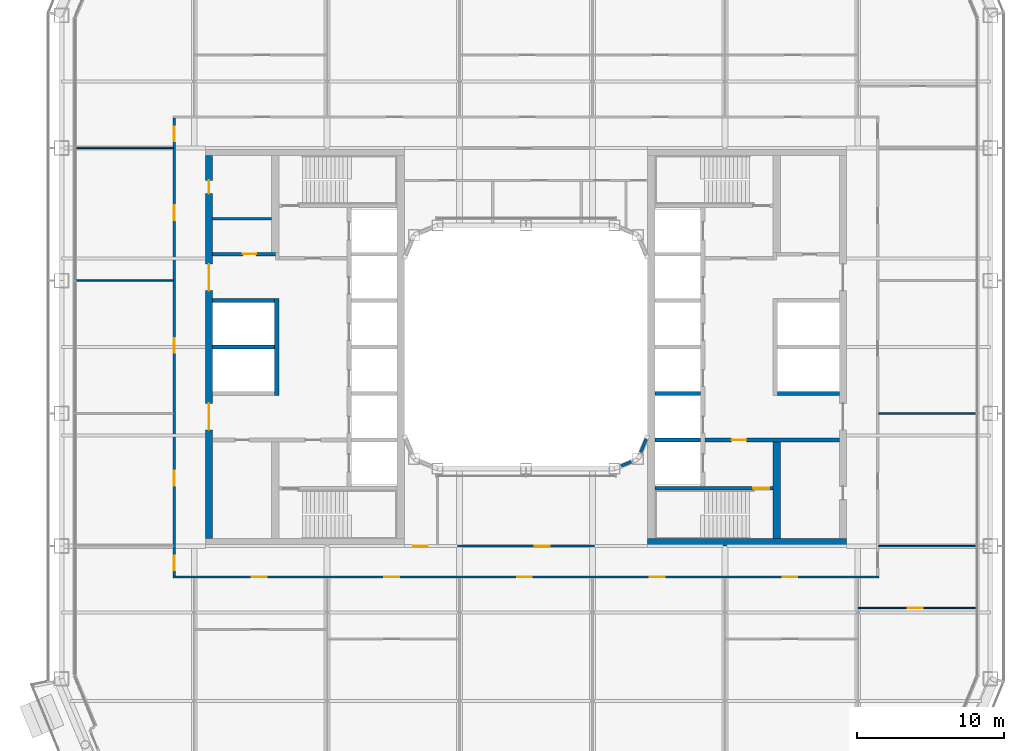
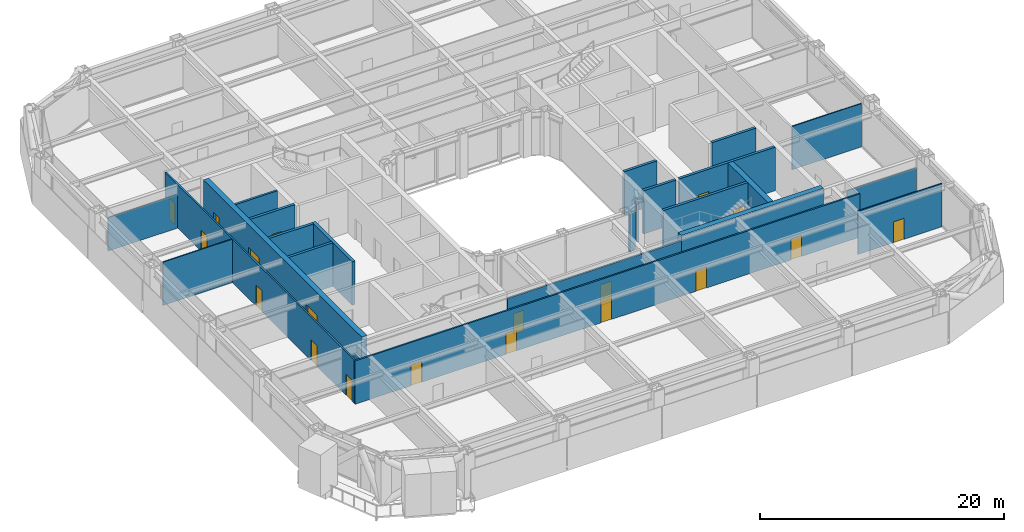
# One storey, part 14 of 27: 23 walls, 19 doors, 19 openings.
"""IFC4 building model written with IfcOpenShell, lengths in metres."""

from ifc_helpers import new_model, si_unit, direction, frame, frame_2d, origin, place, context, subcontext, project, spatial, rectangle, extrude, material, layer, layer_set, type_object, element, fill, save


model = new_model("IFC4")

# Units and contexts
model_context = context("Model", 3, precision=1e-05, world=origin(), true_north=direction((0.0, 1.0)))
body_context = subcontext(model_context, "Body", "Model", "MODEL_VIEW")
ifc_project = project(units=[si_unit("LENGTHUNIT", "METRE"), si_unit("AREAUNIT", "SQUARE_METRE"), si_unit("VOLUMEUNIT", "CUBIC_METRE"), si_unit("PLANEANGLEUNIT", "RADIAN"), si_unit("MASSUNIT", "GRAM", prefix="KILO")], contexts=[model_context])

# Site, building, storey
site_placement = place(None, origin())
site = spatial("IfcSite", under=ifc_project, at=site_placement, CompositionType="ELEMENT")
building_placement = place(site_placement, origin())
building = spatial("IfcBuilding", under=site, at=building_placement, Name="Siwar Civic Tower", CompositionType="ELEMENT")
storey_placement = place(building_placement, frame((0.0, 0.0, 53.699951171875)))
storey = spatial("IfcBuildingStorey", under=building, at=storey_placement, Name="L11", CompositionType="ELEMENT", Elevation=53.699951171875)

# Wall
ifc_material_1 = material(Name="Gypsum board on steel studs", Category="steel")
ifc_layer_1 = layer(ifc_material_1, 0.199951171875)
ifc_layer_set_1 = layer_set([ifc_layer_1], Name="Gypsum board on steel studs")
wall_type_1 = type_object("IfcWallType", Name="CORE-PARTITION-200", PredefinedType="PARTITIONING", material=ifc_layer_set_1)
wall_1_placement = place(storey_placement, frame((-17.25, 8.699951171875, 0.0), z_axis=(0.0, 0.0, 1.0), x_axis=(-1.0, 0.0, 0.0)))
element("IfcWall", 1, at=wall_1_placement, inside=storey, type_object=wall_type_1, Name="Core partition W", PredefinedType="PARTITIONING", context=body_context, shape_type="SweptSolid", body=[
    extrude(rectangle(XDim=4.0, YDim=0.199951171875, at=frame_2d((2.0, 0.0))), origin(), (0.0, 0.0, 1.0), 4.35009765625),
])

# Wall, opening, door
ifc_material_2 = material(Name="Concrete C60/75", Category="concrete")
ifc_layer_2 = layer(ifc_material_2, 0.25)
ifc_layer_set_2 = layer_set([ifc_layer_2], Name="Concrete C60/75")
wall_type_2 = type_object("IfcWallType", Name="CORE-WALL-RC250", PredefinedType="SHEAR", material=ifc_layer_set_2)
wall_2_placement = place(storey_placement, frame((-17.0, 6.300048828125, 0.0), z_axis=(0.0, 0.0, 1.0), x_axis=(-1.0, 0.0, 0.0)))
wall_2 = element("IfcWall", 2, at=wall_2_placement, inside=storey, type_object=wall_type_2, Name="Core wall W", PredefinedType="SHEAR", context=body_context, shape_type="SweptSolid", body=[
    extrude(rectangle(XDim=4.25, YDim=0.25, at=frame_2d((2.125, 0.0))), origin(), (0.0, 0.0, 1.0), 4.35009765625),
])
opening_1_placement = place(wall_2_placement, frame((1.300048828125, 0.0, 0.0)))
opening_1 = element("IfcOpeningElement", 3, at=opening_1_placement, cuts=wall_2, Name="Opening L11-CW13", PredefinedType="OPENING", context=body_context, shape_type="SweptSolid", body=[
    extrude(rectangle(XDim=0.89990234375, YDim=2.10009765625, at=frame_2d((0.449951171875, 1.050048828125))), frame((0.0, 0.135009765625, 0.0), z_axis=(0.0, -1.0, 0.0), x_axis=(1.0, 0.0, 0.0)), (0.0, 0.0, 1.0), 0.27001953125),
])
ifc_material_3 = material(Name="Steel door leaf", Category="steel")
door_type_1 = type_object("IfcDoorType", Name="CORE-DOOR-ROOM", OperationType="SINGLE_SWING_LEFT", PredefinedType="DOOR", material=ifc_material_3)
door_1_placement = place(opening_1_placement, origin())
door_1 = element("IfcDoor", 4, at=door_1_placement, inside=storey, type_object=door_type_1, Name="Core room door L11-CW13", OperationType="SINGLE_SWING_LEFT", OverallHeight=2.10009765625, OverallWidth=0.89990234375, PredefinedType="DOOR", context=body_context, shape_type="SweptSolid", body=[
    extrude(rectangle(XDim=0.89990234375, YDim=2.10009765625, at=frame_2d((0.449951171875, 1.050048828125))), frame((0.0, 0.02490234375, 0.0), z_axis=(0.0, -1.0, 0.0), x_axis=(1.0, 0.0, 0.0)), (0.0, 0.0, 1.0), 0.050048828125),
])
fill(opening_1, door_1)

# Walls
for number, where, z_axis, x_axis, name in (
    (5, (-17.050048828125, 0.0, 0.0), (0.0, 0.0, 1.0), (-1.0, 0.0, 0.0), "Core wall W"),
    (6, (-17.050048828125, 3.14990234375, 0.0), (0.0, 0.0, 1.0), (-1.0, 0.0, 0.0), "Core wall W"),
):
    element("IfcWall", number, at=place(storey_placement, frame(where, z_axis=z_axis, x_axis=x_axis)), inside=storey, type_object=wall_type_2, Name=name, PredefinedType="SHEAR", context=body_context, shape_type="SweptSolid", body=[
        extrude(rectangle(XDim=4.199951171875, YDim=0.25, at=frame_2d((2.10009765625, 0.0))), origin(), (0.0, 0.0, 1.0), 4.35009765625),
    ])

# Wall, opening, door
wall_3_placement = place(storey_placement, frame((12.14990234375, -6.300048828125, 0.0), z_axis=(0.0, 0.0, 1.0), x_axis=(1.0, 0.0, 0.0)))
wall_3 = element("IfcWall", 7, at=wall_3_placement, inside=storey, type_object=wall_type_2, Name="Core wall E", PredefinedType="SHEAR", context=body_context, shape_type="SweptSolid", body=[
    extrude(rectangle(XDim=9.10009765625, YDim=0.25, at=frame_2d((4.550048828125, 0.0))), origin(), (0.0, 0.0, 1.0), 4.35009765625),
])
opening_2_placement = place(wall_3_placement, frame((1.800048828125, 0.0, 0.0)))
opening_2 = element("IfcOpeningElement", 8, at=opening_2_placement, cuts=wall_3, Name="Opening L11-CE02", PredefinedType="OPENING", context=body_context, shape_type="SweptSolid", body=[
    extrude(rectangle(XDim=1.0, YDim=2.10009765625, at=frame_2d((0.5, 1.050048828125))), frame((0.0, 0.135009765625, 0.0), z_axis=(0.0, -1.0, 0.0), x_axis=(1.0, 0.0, 0.0)), (0.0, 0.0, 1.0), 0.27001953125),
])
ifc_material_4 = material(Name="Steel door leaf", Category="steel")
door_type_2 = type_object("IfcDoorType", Name="CORE-DOOR-FD30S", OperationType="SINGLE_SWING_LEFT", PredefinedType="DOOR", material=ifc_material_4)
door_2_placement = place(opening_2_placement, origin())
door_2 = element("IfcDoor", 9, at=door_2_placement, inside=storey, type_object=door_type_2, Name="Service lobby door L11-CE02", OperationType="SINGLE_SWING_LEFT", OverallHeight=2.10009765625, OverallWidth=1.0, PredefinedType="DOOR", context=body_context, shape_type="SweptSolid", body=[
    extrude(rectangle(XDim=1.0, YDim=2.10009765625, at=frame_2d((0.5, 1.050048828125))), frame((0.0, 0.02490234375, 0.0), z_axis=(0.0, -1.0, 0.0), x_axis=(1.0, 0.0, 0.0)), (0.0, 0.0, 1.0), 0.050048828125),
])
fill(opening_2, door_2)

# Walls
wall_4_placement = place(storey_placement, frame((17.050048828125, -3.14990234375, 0.0), z_axis=(0.0, 0.0, 1.0), x_axis=(1.0, 0.0, 0.0)))
element("IfcWall", 10, at=wall_4_placement, inside=storey, type_object=wall_type_2, Name="Core wall E", PredefinedType="SHEAR", context=body_context, shape_type="SweptSolid", body=[
    extrude(rectangle(XDim=4.199951171875, YDim=0.25, at=frame_2d((2.10009765625, 0.0))), origin(), (0.0, 0.0, 1.0), 4.35009765625),
])
for number, where, z_axis, x_axis, name in (
    (11, (8.75, -3.14990234375, 0.0), (0.0, 0.0, 1.0), (1.0, 0.0, 0.0), "Core wall E"),
    (12, (8.75, -6.300048828125, 0.0), (0.0, 0.0, 1.0), (1.0, 0.0, 0.0), "Core wall E"),
):
    element("IfcWall", number, at=place(storey_placement, frame(where, z_axis=z_axis, x_axis=x_axis)), inside=storey, type_object=wall_type_2, Name=name, PredefinedType="SHEAR", context=body_context, shape_type="SweptSolid", body=[
        extrude(rectangle(XDim=3.10009765625, YDim=0.25, at=frame_2d((1.550048828125, 0.0))), origin(), (0.0, 0.0, 1.0), 4.35009765625),
    ])

# Wall, opening, door
wall_5_placement = place(storey_placement, frame((8.75, -9.574951171875, 0.0), z_axis=(0.0, 0.0, 1.0), x_axis=(1.0, 0.0, 0.0)))
wall_5 = element("IfcWall", 13, at=wall_5_placement, inside=storey, type_object=wall_type_2, Name="Core wall E", PredefinedType="SHEAR", context=body_context, shape_type="SweptSolid", body=[
    extrude(rectangle(XDim=8.0, YDim=0.25, at=frame_2d((4.0, 0.0))), origin(), (0.0, 0.0, 1.0), 4.35009765625),
])
opening_3_placement = place(wall_5_placement, frame((6.64990234375, 0.0, 0.0)))
opening_3 = element("IfcOpeningElement", 14, at=opening_3_placement, cuts=wall_5, Name="Opening L11-CE04", PredefinedType="OPENING", context=body_context, shape_type="SweptSolid", body=[
    extrude(rectangle(XDim=1.10009765625, YDim=2.10009765625, at=frame_2d((0.550048828125, 1.050048828125))), frame((0.0, 0.135009765625, 0.0), z_axis=(0.0, -1.0, 0.0), x_axis=(1.0, 0.0, 0.0)), (0.0, 0.0, 1.0), 0.27001953125),
])
ifc_material_5 = material(Name="Steel door leaf", Category="steel")
door_type_3 = type_object("IfcDoorType", Name="CORE-DOOR-FD60S", OperationType="SINGLE_SWING_LEFT", PredefinedType="DOOR", material=ifc_material_5)
door_3_placement = place(opening_3_placement, origin())
door_3 = element("IfcDoor", 15, at=door_3_placement, inside=storey, type_object=door_type_3, Name="Stair door L11-CE04", OperationType="SINGLE_SWING_RIGHT", OverallHeight=2.10009765625, OverallWidth=1.10009765625, PredefinedType="DOOR", context=body_context, shape_type="SweptSolid", body=[
    extrude(rectangle(XDim=1.10009765625, YDim=2.10009765625, at=frame_2d((0.550048828125, 1.050048828125))), frame((0.0, 0.02490234375, 0.0), z_axis=(0.0, -1.0, 0.0), x_axis=(1.0, 0.0, 0.0)), (0.0, 0.0, 1.0), 0.050048828125),
])
fill(opening_3, door_3)

# Wall
ifc_material_6 = material(Name="Concrete C60/75", Category="concrete")
ifc_layer_3 = layer(ifc_material_6, 0.300048828125)
ifc_layer_set_3 = layer_set([ifc_layer_3], Name="Concrete C60/75")
wall_type_3 = type_object("IfcWallType", Name="CORE-WALL-RC300", PredefinedType="SHEAR", material=ifc_layer_set_3)
wall_6_placement = place(storey_placement, frame((-16.89990234375, -3.27490234375, 0.0), z_axis=(0.0, 0.0, 1.0), x_axis=(0.0, 1.0, 0.0)))
element("IfcWall", 16, at=wall_6_placement, inside=storey, type_object=wall_type_3, Name="Core wall W", PredefinedType="SHEAR", context=body_context, shape_type="SweptSolid", body=[
    extrude(rectangle(XDim=6.5498046875, YDim=0.300048828125, at=frame_2d((3.27490234375, 0.0))), origin(), (0.0, 0.0, 1.0), 4.35009765625),
])

# Wall, openings, doors
ifc_material_7 = material(Name="Concrete C60/75", Category="concrete")
ifc_layer_4 = layer(ifc_material_7, 0.5)
ifc_layer_set_4 = layer_set([ifc_layer_4], Name="Concrete C60/75")
wall_type_4 = type_object("IfcWallType", Name="CORE-WALL-RC500", PredefinedType="SHEAR", material=ifc_layer_set_4)
wall_7_placement = place(storey_placement, frame((-21.5, -13.0, 0.0), z_axis=(0.0, 0.0, 1.0), x_axis=(0.0, 1.0, 0.0)))
wall_7 = element("IfcWall", 17, at=wall_7_placement, inside=storey, type_object=wall_type_4, Name="Core wall W", PredefinedType="SHEAR", context=body_context, shape_type="SweptSolid", body=[
    extrude(rectangle(XDim=26.0, YDim=0.5, at=frame_2d((13.0, 0.0))), origin(), (0.0, 0.0, 1.0), 4.35009765625),
])
opening_4_placement = place(wall_7_placement, frame((16.824951171875, 0.0, 0.0)))
opening_4 = element("IfcOpeningElement", 18, at=opening_4_placement, cuts=wall_7, Name="Opening L11-CW05", PredefinedType="OPENING", context=body_context, shape_type="SweptSolid", body=[
    extrude(rectangle(XDim=1.800048828125, YDim=2.10009765625, at=frame_2d((0.89990234375, 1.050048828125))), frame((0.0, 0.260009765625, 0.0), z_axis=(0.0, -1.0, 0.0), x_axis=(1.0, 0.0, 0.0)), (0.0, 0.0, 1.0), 0.52001953125),
])
opening_5_placement = place(wall_7_placement, frame((7.375, 0.0, 0.0)))
opening_5 = element("IfcOpeningElement", 19, at=opening_5_placement, cuts=wall_7, Name="Opening L11-CW06", PredefinedType="OPENING", context=body_context, shape_type="SweptSolid", body=[
    extrude(rectangle(XDim=1.800048828125, YDim=2.10009765625, at=frame_2d((0.89990234375, 1.050048828125))), frame((0.0, 0.260009765625, 0.0), z_axis=(0.0, -1.0, 0.0), x_axis=(1.0, 0.0, 0.0)), (0.0, 0.0, 1.0), 0.52001953125),
])
opening_6_placement = place(wall_7_placement, frame((23.39990234375, 0.0, 0.0)))
opening_6 = element("IfcOpeningElement", 20, at=opening_6_placement, cuts=wall_7, Name="Opening L11-CW14", PredefinedType="OPENING", context=body_context, shape_type="SweptSolid", body=[
    extrude(rectangle(XDim=0.89990234375, YDim=2.10009765625, at=frame_2d((0.449951171875, 1.050048828125))), frame((0.0, 0.260009765625, 0.0), z_axis=(0.0, -1.0, 0.0), x_axis=(1.0, 0.0, 0.0)), (0.0, 0.0, 1.0), 0.52001953125),
])
ifc_material_8 = material(Name="Steel door leaf", Category="steel")
door_type_4 = type_object("IfcDoorType", Name="CORE-DOOR-PORT", OperationType="DOUBLE_DOOR_DOUBLE_SWING", PredefinedType="DOOR", material=ifc_material_8)
door_4_placement = place(opening_4_placement, origin())
door_4 = element("IfcDoor", 21, at=door_4_placement, inside=storey, type_object=door_type_4, Name="Core entrance door L11-CW05", OperationType="DOUBLE_DOOR_DOUBLE_SWING", OverallHeight=2.10009765625, OverallWidth=1.800048828125, PredefinedType="DOOR", context=body_context, shape_type="SweptSolid", body=[
    extrude(rectangle(XDim=1.800048828125, YDim=2.10009765625, at=frame_2d((0.89990234375, 1.050048828125))), frame((0.0, 0.02490234375, 0.0), z_axis=(0.0, -1.0, 0.0), x_axis=(1.0, 0.0, 0.0)), (0.0, 0.0, 1.0), 0.050048828125),
])
fill(opening_4, door_4)
door_5_placement = place(opening_5_placement, origin())
door_5 = element("IfcDoor", 22, at=door_5_placement, inside=storey, type_object=door_type_4, Name="Core entrance door L11-CW06", OperationType="DOUBLE_DOOR_DOUBLE_SWING", OverallHeight=2.10009765625, OverallWidth=1.800048828125, PredefinedType="DOOR", context=body_context, shape_type="SweptSolid", body=[
    extrude(rectangle(XDim=1.800048828125, YDim=2.10009765625, at=frame_2d((0.89990234375, 1.050048828125))), frame((0.0, 0.02490234375, 0.0), z_axis=(0.0, -1.0, 0.0), x_axis=(1.0, 0.0, 0.0)), (0.0, 0.0, 1.0), 0.050048828125),
])
fill(opening_5, door_5)
door_6_placement = place(opening_6_placement, origin())
door_6 = element("IfcDoor", 23, at=door_6_placement, inside=storey, type_object=door_type_1, Name="Core room door L11-CW14", OperationType="SINGLE_SWING_LEFT", OverallHeight=2.10009765625, OverallWidth=0.89990234375, PredefinedType="DOOR", context=body_context, shape_type="SweptSolid", body=[
    extrude(rectangle(XDim=0.89990234375, YDim=2.10009765625, at=frame_2d((0.449951171875, 1.050048828125))), frame((0.0, 0.02490234375, 0.0), z_axis=(0.0, -1.0, 0.0), x_axis=(1.0, 0.0, 0.0)), (0.0, 0.0, 1.0), 0.050048828125),
])
fill(opening_6, door_6)

# Walls
wall_8_placement = place(storey_placement, frame((17.0, -13.0, 0.0), z_axis=(0.0, 0.0, 1.0), x_axis=(0.0, 1.0, 0.0)))
element("IfcWall", 24, at=wall_8_placement, inside=storey, type_object=wall_type_4, Name="Core wall E", PredefinedType="SHEAR", context=body_context, shape_type="SweptSolid", body=[
    extrude(rectangle(XDim=6.574951171875, YDim=0.5, at=frame_2d((3.28759765625, 0.0))), origin(), (0.0, 0.0, 1.0), 4.35009765625),
])
wall_9_placement = place(storey_placement, frame((8.25, -13.25, 0.0), z_axis=(0.0, 0.0, 1.0), x_axis=(1.0, 0.0, 0.0)))
element("IfcWall", 25, at=wall_9_placement, inside=storey, type_object=wall_type_4, Name="Core wall E", PredefinedType="SHEAR", context=body_context, shape_type="SweptSolid", body=[
    extrude(rectangle(XDim=13.5, YDim=0.5, at=frame_2d((6.75, 0.0))), origin(), (0.0, 0.0, 1.0), 4.35009765625),
])

# Wall, openings, doors
ifc_material_9 = material(Name="Gypsum board on steel studs", Category="steel")
ifc_layer_5 = layer(ifc_material_9, 0.14990234375)
ifc_layer_set_5 = layer_set([ifc_layer_5], Name="Gypsum board on steel studs")
wall_type_5 = type_object("IfcWallType", Name="CORRIDOR PARTITION 150 EI 30", PredefinedType="PARTITIONING", material=ifc_layer_set_5)
wall_10_placement = place(storey_placement, frame((-23.925048828125, -15.60009765625, 0.0), z_axis=(0.0, 0.0, 1.0), x_axis=(1.0, 0.0, 0.0)))
wall_10 = element("IfcWall", 26, at=wall_10_placement, inside=storey, type_object=wall_type_5, Name="L11/wall/P05", PredefinedType="PARTITIONING", context=body_context, shape_type="SweptSolid", body=[
    extrude(rectangle(XDim=47.85009765625, YDim=0.14990234375, at=frame_2d((23.925048828125, 0.0))), origin(), (0.0, 0.0, 1.0), 4.35009765625),
])
opening_7_placement = place(wall_10_placement, frame((5.324951171875, 0.0, 0.0)))
opening_7 = element("IfcOpeningElement", 27, at=opening_7_placement, cuts=wall_10, Name="Opening D1", PredefinedType="OPENING", context=body_context, shape_type="SweptSolid", body=[
    extrude(rectangle(XDim=1.0, YDim=2.10009765625, at=frame_2d((0.5, 1.050048828125))), frame((0.0, 0.0849609375, 0.0), z_axis=(0.0, -1.0, 0.0), x_axis=(1.0, 0.0, 0.0)), (0.0, 0.0, 1.0), 0.169921875),
])
opening_8_placement = place(wall_10_placement, frame((14.324951171875, 0.0, 0.0)))
opening_8 = element("IfcOpeningElement", 28, at=opening_8_placement, cuts=wall_10, Name="Opening D1", PredefinedType="OPENING", context=body_context, shape_type="SweptSolid", body=[
    extrude(rectangle(XDim=1.0, YDim=2.10009765625, at=frame_2d((0.5, 1.050048828125))), frame((0.0, 0.0849609375, 0.0), z_axis=(0.0, -1.0, 0.0), x_axis=(1.0, 0.0, 0.0)), (0.0, 0.0, 1.0), 0.169921875),
])
opening_9_placement = place(wall_10_placement, frame((23.324951171875, 0.0, 0.0)))
opening_9 = element("IfcOpeningElement", 29, at=opening_9_placement, cuts=wall_10, Name="Opening D1", PredefinedType="OPENING", context=body_context, shape_type="SweptSolid", body=[
    extrude(rectangle(XDim=1.0, YDim=2.10009765625, at=frame_2d((0.5, 1.050048828125))), frame((0.0, 0.0849609375, 0.0), z_axis=(0.0, -1.0, 0.0), x_axis=(1.0, 0.0, 0.0)), (0.0, 0.0, 1.0), 0.169921875),
])
opening_10_placement = place(wall_10_placement, frame((32.324951171875, 0.0, 0.0)))
opening_10 = element("IfcOpeningElement", 30, at=opening_10_placement, cuts=wall_10, Name="Opening D1", PredefinedType="OPENING", context=body_context, shape_type="SweptSolid", body=[
    extrude(rectangle(XDim=1.0, YDim=2.10009765625, at=frame_2d((0.5, 1.050048828125))), frame((0.0, 0.0849609375, 0.0), z_axis=(0.0, -1.0, 0.0), x_axis=(1.0, 0.0, 0.0)), (0.0, 0.0, 1.0), 0.169921875),
])
opening_11_placement = place(wall_10_placement, frame((41.324951171875, 0.0, 0.0)))
opening_11 = element("IfcOpeningElement", 31, at=opening_11_placement, cuts=wall_10, Name="Opening D1", PredefinedType="OPENING", context=body_context, shape_type="SweptSolid", body=[
    extrude(rectangle(XDim=1.0, YDim=2.10009765625, at=frame_2d((0.5, 1.050048828125))), frame((0.0, 0.0849609375, 0.0), z_axis=(0.0, -1.0, 0.0), x_axis=(1.0, 0.0, 0.0)), (0.0, 0.0, 1.0), 0.169921875),
])
ifc_material_10 = material(Name="Timber, painted", Category="wood")
door_type_5 = type_object("IfcDoorType", Name="DOOR 1000 X 2100 FD30", OperationType="SINGLE_SWING_LEFT", PredefinedType="DOOR", material=ifc_material_10)
door_7_placement = place(opening_7_placement, origin())
door_7 = element("IfcDoor", 32, at=door_7_placement, inside=storey, type_object=door_type_5, Name="L11-D12", OperationType="SINGLE_SWING_RIGHT", OverallHeight=2.10009765625, OverallWidth=1.0, PredefinedType="DOOR", context=body_context, shape_type="SweptSolid", body=[
    extrude(rectangle(XDim=1.0, YDim=2.10009765625, at=frame_2d((0.5, 1.050048828125))), frame((0.0, 0.02490234375, 0.0), z_axis=(0.0, -1.0, 0.0), x_axis=(1.0, 0.0, 0.0)), (0.0, 0.0, 1.0), 0.050048828125),
])
fill(opening_7, door_7)
door_8_placement = place(opening_8_placement, origin())
door_8 = element("IfcDoor", 33, at=door_8_placement, inside=storey, type_object=door_type_5, Name="L11-D14", OperationType="SINGLE_SWING_RIGHT", OverallHeight=2.10009765625, OverallWidth=1.0, PredefinedType="DOOR", context=body_context, shape_type="SweptSolid", body=[
    extrude(rectangle(XDim=1.0, YDim=2.10009765625, at=frame_2d((0.5, 1.050048828125))), frame((0.0, 0.02490234375, 0.0), z_axis=(0.0, -1.0, 0.0), x_axis=(1.0, 0.0, 0.0)), (0.0, 0.0, 1.0), 0.050048828125),
])
fill(opening_8, door_8)
door_9_placement = place(opening_9_placement, origin())
door_9 = element("IfcDoor", 34, at=door_9_placement, inside=storey, type_object=door_type_5, Name="L11-D16", OperationType="SINGLE_SWING_RIGHT", OverallHeight=2.10009765625, OverallWidth=1.0, PredefinedType="DOOR", context=body_context, shape_type="SweptSolid", body=[
    extrude(rectangle(XDim=1.0, YDim=2.10009765625, at=frame_2d((0.5, 1.050048828125))), frame((0.0, 0.02490234375, 0.0), z_axis=(0.0, -1.0, 0.0), x_axis=(1.0, 0.0, 0.0)), (0.0, 0.0, 1.0), 0.050048828125),
])
fill(opening_9, door_9)
door_10_placement = place(opening_10_placement, origin())
door_10 = element("IfcDoor", 35, at=door_10_placement, inside=storey, type_object=door_type_5, Name="L11-D17", OperationType="SINGLE_SWING_LEFT", OverallHeight=2.10009765625, OverallWidth=1.0, PredefinedType="DOOR", context=body_context, shape_type="SweptSolid", body=[
    extrude(rectangle(XDim=1.0, YDim=2.10009765625, at=frame_2d((0.5, 1.050048828125))), frame((0.0, 0.02490234375, 0.0), z_axis=(0.0, -1.0, 0.0), x_axis=(1.0, 0.0, 0.0)), (0.0, 0.0, 1.0), 0.050048828125),
])
fill(opening_10, door_10)
door_11_placement = place(opening_11_placement, origin())
door_11 = element("IfcDoor", 36, at=door_11_placement, inside=storey, type_object=door_type_5, Name="L11-D18", OperationType="SINGLE_SWING_RIGHT", OverallHeight=2.10009765625, OverallWidth=1.0, PredefinedType="DOOR", context=body_context, shape_type="SweptSolid", body=[
    extrude(rectangle(XDim=1.0, YDim=2.10009765625, at=frame_2d((0.5, 1.050048828125))), frame((0.0, 0.02490234375, 0.0), z_axis=(0.0, -1.0, 0.0), x_axis=(1.0, 0.0, 0.0)), (0.0, 0.0, 1.0), 0.050048828125),
])
fill(opening_11, door_11)

wall_11_placement = place(storey_placement, frame((-8.25, -13.5, 0.0), z_axis=(0.0, 0.0, 1.0), x_axis=(1.0, 0.0, 0.0)))
wall_11 = element("IfcWall", 37, at=wall_11_placement, inside=storey, type_object=wall_type_5, Name="L11/wall/P08", PredefinedType="PARTITIONING", context=body_context, shape_type="SweptSolid", body=[
    extrude(rectangle(XDim=16.5, YDim=0.14990234375, at=frame_2d((8.25, 0.0))), origin(), (0.0, 0.0, 1.0), 3.85009765625),
])
opening_12_placement = place(wall_11_placement, frame((0.60009765625, 0.0, 0.0)))
opening_12 = element("IfcOpeningElement", 38, at=opening_12_placement, cuts=wall_11, Name="Opening D3", PredefinedType="OPENING", context=body_context, shape_type="SweptSolid", body=[
    extrude(rectangle(XDim=1.0, YDim=2.10009765625, at=frame_2d((0.5, 1.050048828125))), frame((0.0, 0.0849609375, 0.0), z_axis=(0.0, -1.0, 0.0), x_axis=(1.0, 0.0, 0.0)), (0.0, 0.0, 1.0), 0.169921875),
])
opening_13_placement = place(wall_11_placement, frame((8.85009765625, 0.0, 0.0)))
opening_13 = element("IfcOpeningElement", 39, at=opening_13_placement, cuts=wall_11, Name="Opening D1", PredefinedType="OPENING", context=body_context, shape_type="SweptSolid", body=[
    extrude(rectangle(XDim=1.0, YDim=2.10009765625, at=frame_2d((0.5, 1.050048828125))), frame((0.0, 0.0849609375, 0.0), z_axis=(0.0, -1.0, 0.0), x_axis=(1.0, 0.0, 0.0)), (0.0, 0.0, 1.0), 0.169921875),
])
door_12_placement = place(opening_13_placement, origin())
door_12 = element("IfcDoor", 40, at=door_12_placement, inside=storey, type_object=door_type_5, Name="L11-D38", OperationType="SINGLE_SWING_RIGHT", OverallHeight=2.10009765625, OverallWidth=1.0, PredefinedType="DOOR", context=body_context, shape_type="SweptSolid", body=[
    extrude(rectangle(XDim=1.0, YDim=2.10009765625, at=frame_2d((0.5, 1.050048828125))), frame((0.0, 0.02490234375, 0.0), z_axis=(0.0, -1.0, 0.0), x_axis=(1.0, 0.0, 0.0)), (0.0, 0.0, 1.0), 0.050048828125),
])
fill(opening_13, door_12)
ifc_material_11 = material(Name="Timber, painted", Category="wood")
door_type_6 = type_object("IfcDoorType", Name="DOOR 1000 X 2100 WC", OperationType="SINGLE_SWING_LEFT", PredefinedType="DOOR", material=ifc_material_11)
door_13_placement = place(opening_12_placement, origin())
door_13 = element("IfcDoor", 41, at=door_13_placement, inside=storey, type_object=door_type_6, Name="L11-D37", OperationType="SINGLE_SWING_LEFT", OverallHeight=2.10009765625, OverallWidth=1.0, PredefinedType="DOOR", context=body_context, shape_type="SweptSolid", body=[
    extrude(rectangle(XDim=1.0, YDim=2.10009765625, at=frame_2d((0.5, 1.050048828125))), frame((0.0, 0.02490234375, 0.0), z_axis=(0.0, -1.0, 0.0), x_axis=(1.0, 0.0, 0.0)), (0.0, 0.0, 1.0), 0.050048828125),
])
fill(opening_12, door_13)

wall_12_placement = place(storey_placement, frame((-23.85009765625, -15.52490234375, 0.0), z_axis=(0.0, 0.0, 1.0), x_axis=(0.0, 1.0, 0.0)))
wall_12 = element("IfcWall", 42, at=wall_12_placement, inside=storey, type_object=wall_type_5, Name="L11/wall/P24", PredefinedType="PARTITIONING", context=body_context, shape_type="SweptSolid", body=[
    extrude(rectangle(XDim=31.0498046875, YDim=0.14990234375, at=frame_2d((15.52490234375, 0.0))), origin(), (0.0, 0.0, 1.0), 4.35009765625),
])
opening_14_placement = place(wall_12_placement, frame((29.47509765625, 0.0, 0.0)))
opening_14 = element("IfcOpeningElement", 43, at=opening_14_placement, cuts=wall_12, Name="Opening D1", PredefinedType="OPENING", context=body_context, shape_type="SweptSolid", body=[
    extrude(rectangle(XDim=1.0, YDim=2.10009765625, at=frame_2d((0.5, 1.050048828125))), frame((0.0, 0.0849609375, 0.0), z_axis=(0.0, -1.0, 0.0), x_axis=(1.0, 0.0, 0.0)), (0.0, 0.0, 1.0), 0.169921875),
])
opening_15_placement = place(wall_12_placement, frame((0.375, 0.0, 0.0)))
opening_15 = element("IfcOpeningElement", 44, at=opening_15_placement, cuts=wall_12, Name="Opening D1", PredefinedType="OPENING", context=body_context, shape_type="SweptSolid", body=[
    extrude(rectangle(XDim=1.0, YDim=2.10009765625, at=frame_2d((0.5, 1.050048828125))), frame((0.0, 0.0849609375, 0.0), z_axis=(0.0, -1.0, 0.0), x_axis=(1.0, 0.0, 0.0)), (0.0, 0.0, 1.0), 0.169921875),
])
opening_16_placement = place(wall_12_placement, frame((6.125, 0.0, 0.0)))
opening_16 = element("IfcOpeningElement", 45, at=opening_16_placement, cuts=wall_12, Name="Opening D1", PredefinedType="OPENING", context=body_context, shape_type="SweptSolid", body=[
    extrude(rectangle(XDim=1.0, YDim=2.10009765625, at=frame_2d((0.5, 1.050048828125))), frame((0.0, 0.0849609375, 0.0), z_axis=(0.0, -1.0, 0.0), x_axis=(1.0, 0.0, 0.0)), (0.0, 0.0, 1.0), 0.169921875),
])
opening_17_placement = place(wall_12_placement, frame((15.125, 0.0, 0.0)))
opening_17 = element("IfcOpeningElement", 46, at=opening_17_placement, cuts=wall_12, Name="Opening D1", PredefinedType="OPENING", context=body_context, shape_type="SweptSolid", body=[
    extrude(rectangle(XDim=1.0, YDim=2.10009765625, at=frame_2d((0.5, 1.050048828125))), frame((0.0, 0.0849609375, 0.0), z_axis=(0.0, -1.0, 0.0), x_axis=(1.0, 0.0, 0.0)), (0.0, 0.0, 1.0), 0.169921875),
])
opening_18_placement = place(wall_12_placement, frame((24.125, 0.0, 0.0)))
opening_18 = element("IfcOpeningElement", 47, at=opening_18_placement, cuts=wall_12, Name="Opening D1", PredefinedType="OPENING", context=body_context, shape_type="SweptSolid", body=[
    extrude(rectangle(XDim=1.0, YDim=2.10009765625, at=frame_2d((0.5, 1.050048828125))), frame((0.0, 0.0849609375, 0.0), z_axis=(0.0, -1.0, 0.0), x_axis=(1.0, 0.0, 0.0)), (0.0, 0.0, 1.0), 0.169921875),
])
door_14_placement = place(opening_14_placement, origin())
door_14 = element("IfcDoor", 48, at=door_14_placement, inside=storey, type_object=door_type_5, Name="L11-D20", OperationType="SINGLE_SWING_RIGHT", OverallHeight=2.10009765625, OverallWidth=1.0, PredefinedType="DOOR", context=body_context, shape_type="SweptSolid", body=[
    extrude(rectangle(XDim=1.0, YDim=2.10009765625, at=frame_2d((0.5, 1.050048828125))), frame((0.0, 0.02490234375, 0.0), z_axis=(0.0, -1.0, 0.0), x_axis=(1.0, 0.0, 0.0)), (0.0, 0.0, 1.0), 0.050048828125),
])
fill(opening_14, door_14)
door_15_placement = place(opening_15_placement, origin())
door_15 = element("IfcDoor", 49, at=door_15_placement, inside=storey, type_object=door_type_5, Name="L11-D23", OperationType="SINGLE_SWING_LEFT", OverallHeight=2.10009765625, OverallWidth=1.0, PredefinedType="DOOR", context=body_context, shape_type="SweptSolid", body=[
    extrude(rectangle(XDim=1.0, YDim=2.10009765625, at=frame_2d((0.5, 1.050048828125))), frame((0.0, 0.02490234375, 0.0), z_axis=(0.0, -1.0, 0.0), x_axis=(1.0, 0.0, 0.0)), (0.0, 0.0, 1.0), 0.050048828125),
])
fill(opening_15, door_15)
door_16_placement = place(opening_16_placement, origin())
door_16 = element("IfcDoor", 50, at=door_16_placement, inside=storey, type_object=door_type_5, Name="L11-D26", OperationType="SINGLE_SWING_RIGHT", OverallHeight=2.10009765625, OverallWidth=1.0, PredefinedType="DOOR", context=body_context, shape_type="SweptSolid", body=[
    extrude(rectangle(XDim=1.0, YDim=2.10009765625, at=frame_2d((0.5, 1.050048828125))), frame((0.0, 0.02490234375, 0.0), z_axis=(0.0, -1.0, 0.0), x_axis=(1.0, 0.0, 0.0)), (0.0, 0.0, 1.0), 0.050048828125),
])
fill(opening_16, door_16)
door_17_placement = place(opening_17_placement, origin())
door_17 = element("IfcDoor", 51, at=door_17_placement, inside=storey, type_object=door_type_5, Name="L11-D27", OperationType="SINGLE_SWING_LEFT", OverallHeight=2.10009765625, OverallWidth=1.0, PredefinedType="DOOR", context=body_context, shape_type="SweptSolid", body=[
    extrude(rectangle(XDim=1.0, YDim=2.10009765625, at=frame_2d((0.5, 1.050048828125))), frame((0.0, 0.02490234375, 0.0), z_axis=(0.0, -1.0, 0.0), x_axis=(1.0, 0.0, 0.0)), (0.0, 0.0, 1.0), 0.050048828125),
])
fill(opening_17, door_17)
door_18_placement = place(opening_18_placement, origin())
door_18 = element("IfcDoor", 52, at=door_18_placement, inside=storey, type_object=door_type_5, Name="L11-D28", OperationType="SINGLE_SWING_RIGHT", OverallHeight=2.10009765625, OverallWidth=1.0, PredefinedType="DOOR", context=body_context, shape_type="SweptSolid", body=[
    extrude(rectangle(XDim=1.0, YDim=2.10009765625, at=frame_2d((0.5, 1.050048828125))), frame((0.0, 0.02490234375, 0.0), z_axis=(0.0, -1.0, 0.0), x_axis=(1.0, 0.0, 0.0)), (0.0, 0.0, 1.0), 0.050048828125),
])
fill(opening_18, door_18)

# Walls
ifc_material_12 = material(Name="Aluminium clad insulated panel", Category="aluminium")
ifc_layer_6 = layer(ifc_material_12, 0.199951171875)
ifc_layer_set_6 = layer_set([ifc_layer_6], Name="Aluminium clad insulated panel")
wall_type_6 = type_object("IfcWallType", Name="ENV-WALL-WELL", PredefinedType="STANDARD", material=ifc_layer_set_6)
wall_13_placement = place(storey_placement, frame((6.45263671875, -8.0625, 0.0), z_axis=(0.0, 0.0, 1.0), x_axis=(0.923940677943, 0.382535780864, 0.0)))
element("IfcWall", 53, at=wall_13_placement, inside=storey, type_object=wall_type_6, Name="Light well corner wall SE1", PredefinedType="STANDARD", context=body_context, shape_type="SweptSolid", body=[
    extrude(rectangle(XDim=0.7421875, YDim=0.199951171875, at=frame_2d((0.37109375, 0.0))), origin(), (0.0, 0.0, 1.0), 3.72998046875),
])
wall_14_placement = place(storey_placement, frame((7.778564453125, -7.138427734375, 0.0), z_axis=(0.0, 0.0, 1.0), x_axis=(0.382549378284, 0.923935048136, 0.0)))
element("IfcWall", 54, at=wall_14_placement, inside=storey, type_object=wall_type_6, Name="Light well corner wall SE2", PredefinedType="STANDARD", context=body_context, shape_type="SweptSolid", body=[
    extrude(rectangle(XDim=0.982177734375, YDim=0.199951171875, at=frame_2d((0.4912109375, 0.0))), origin(), (0.0, 0.0, 1.0), 3.72998046875),
])

# Wall, opening, door
ifc_material_13 = material(Name="Gypsum board on steel studs", Category="steel")
ifc_layer_7 = layer(ifc_material_13, 0.10009765625)
ifc_layer_set_7 = layer_set([ifc_layer_7], Name="Gypsum board on steel studs")
wall_type_7 = type_object("IfcWallType", Name="PARTITION 100 GYPSUM", PredefinedType="PARTITIONING", material=ifc_layer_set_7)
wall_15_placement = place(storey_placement, frame((22.550048828125, -17.699951171875, 0.0), z_axis=(0.0, 0.0, 1.0), x_axis=(1.0, 0.0, 0.0)))
wall_15 = element("IfcWall", 55, at=wall_15_placement, inside=storey, type_object=wall_type_7, Name="L11/wall/P04", PredefinedType="PARTITIONING", context=body_context, shape_type="SweptSolid", body=[
    extrude(rectangle(XDim=7.9599609375, YDim=0.10009765625, at=frame_2d((3.97998046875, 0.0))), origin(), (0.0, 0.0, 1.0), 4.35009765625),
])
opening_19_placement = place(wall_15_placement, frame((3.35009765625, 0.0, 0.0)))
opening_19 = element("IfcOpeningElement", 56, at=opening_19_placement, cuts=wall_15, Name="Opening D2", PredefinedType="OPENING", context=body_context, shape_type="SweptSolid", body=[
    extrude(rectangle(XDim=1.0, YDim=2.10009765625, at=frame_2d((0.5, 1.050048828125))), frame((0.0, 0.06005859375, 0.0), z_axis=(0.0, -1.0, 0.0), x_axis=(1.0, 0.0, 0.0)), (0.0, 0.0, 1.0), 0.1201171875),
])
ifc_material_14 = material(Name="Timber, painted", Category="wood")
door_type_7 = type_object("IfcDoorType", Name="DOOR 1000 X 2100", OperationType="SINGLE_SWING_LEFT", PredefinedType="DOOR", material=ifc_material_14)
door_19_placement = place(opening_19_placement, origin())
door_19 = element("IfcDoor", 57, at=door_19_placement, inside=storey, type_object=door_type_7, Name="L11-D25", OperationType="SINGLE_SWING_LEFT", OverallHeight=2.10009765625, OverallWidth=1.0, PredefinedType="DOOR", context=body_context, shape_type="SweptSolid", body=[
    extrude(rectangle(XDim=1.0, YDim=2.10009765625, at=frame_2d((0.5, 1.050048828125))), frame((0.0, 0.02490234375, 0.0), z_axis=(0.0, -1.0, 0.0), x_axis=(1.0, 0.0, 0.0)), (0.0, 0.0, 1.0), 0.050048828125),
])
fill(opening_19, door_19)

# Walls
wall_16_placement = place(storey_placement, frame((23.925048828125, -13.5, 0.0), z_axis=(0.0, 0.0, 1.0), x_axis=(1.0, 0.0, 0.0)))
element("IfcWall", 58, at=wall_16_placement, inside=storey, type_object=wall_type_7, Name="L11/wall/P07", PredefinedType="PARTITIONING", context=body_context, shape_type="SweptSolid", body=[
    extrude(rectangle(XDim=6.5849609375, YDim=0.10009765625, at=frame_2d((3.29248046875, 0.0))), origin(), (0.0, 0.0, 1.0), 3.35009765625),
])
for number, where, z_axis, x_axis, name in (
    (59, (23.925048828125, -4.5, 0.0), (0.0, 0.0, 1.0), (1.0, 0.0, 0.0), "L11/wall/P10"),
    (60, (-30.510009765625, 4.5, 0.0), (0.0, 0.0, 1.0), (1.0, 0.0, 0.0), "L11/wall/P11"),
):
    element("IfcWall", number, at=place(storey_placement, frame(where, z_axis=z_axis, x_axis=x_axis)), inside=storey, type_object=wall_type_7, Name=name, PredefinedType="PARTITIONING", context=body_context, shape_type="SweptSolid", body=[
        extrude(rectangle(XDim=6.5849609375, YDim=0.10009765625, at=frame_2d((3.29248046875, 0.0))), origin(), (0.0, 0.0, 1.0), 4.35009765625),
    ])
wall_17_placement = place(storey_placement, frame((-30.510009765625, 13.5, 0.0), z_axis=(0.0, 0.0, 1.0), x_axis=(1.0, 0.0, 0.0)))
element("IfcWall", 61, at=wall_17_placement, inside=storey, type_object=wall_type_7, Name="L11/wall/P15", PredefinedType="PARTITIONING", context=body_context, shape_type="SweptSolid", body=[
    extrude(rectangle(XDim=6.5849609375, YDim=0.10009765625, at=frame_2d((3.29248046875, 0.0))), origin(), (0.0, 0.0, 1.0), 3.35009765625),
])

save(model, "model.ifc")
